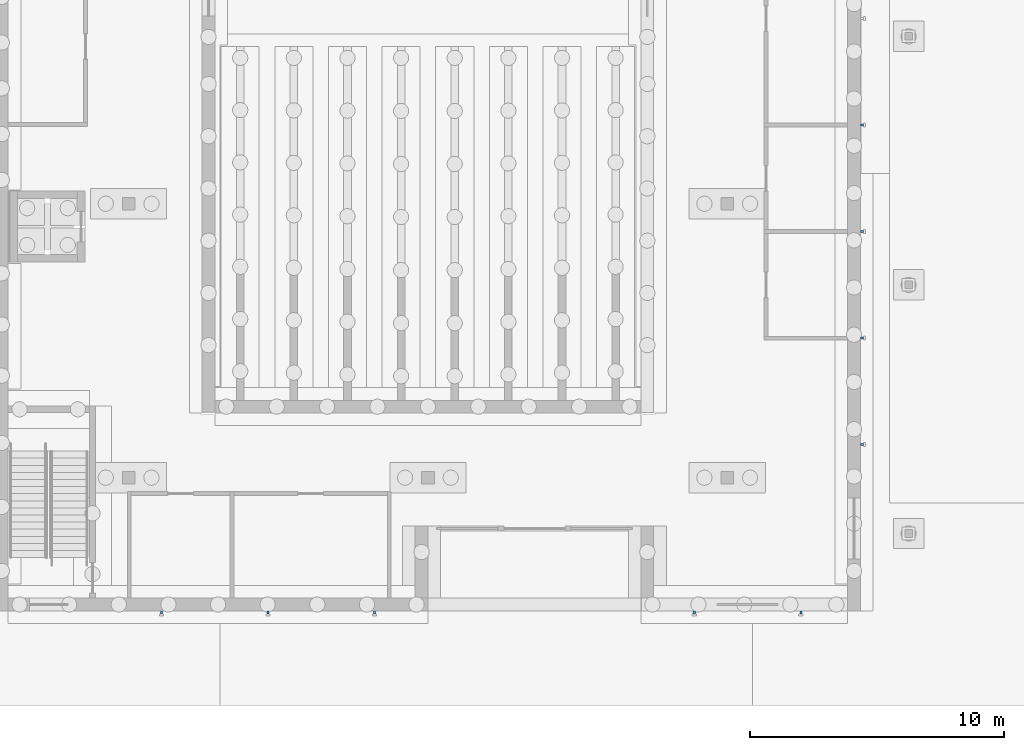
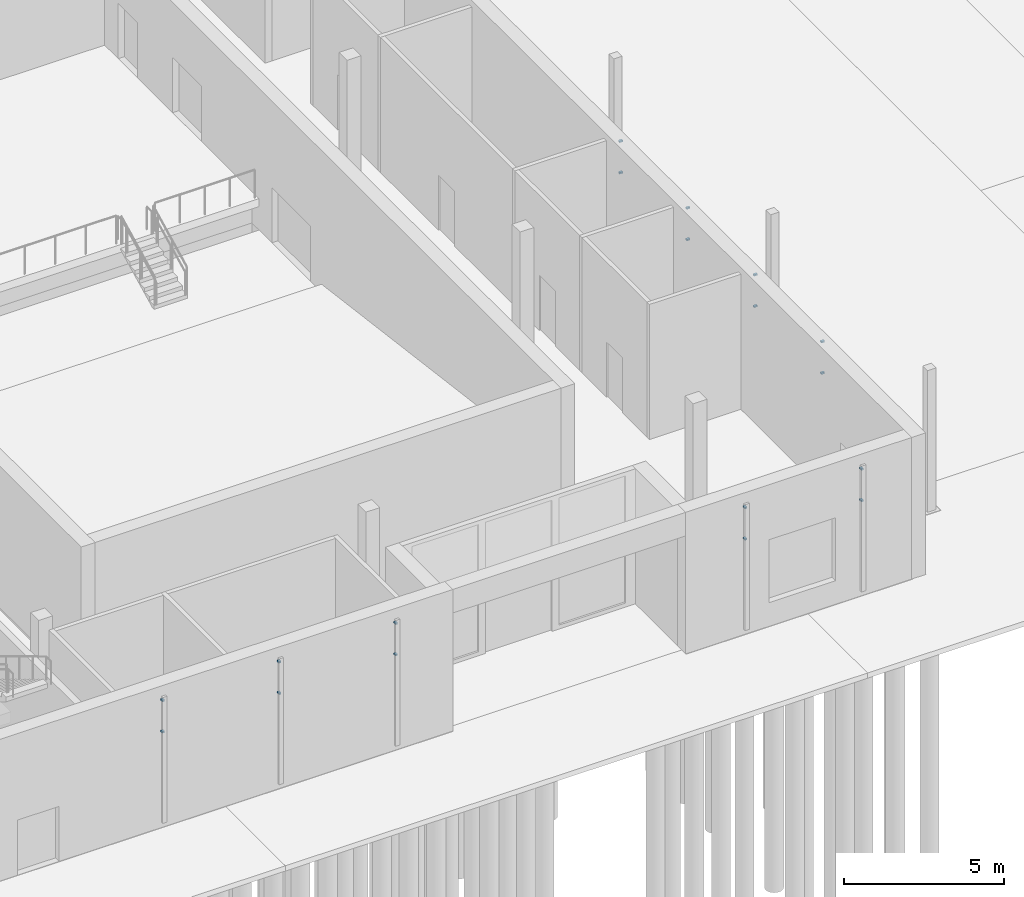
# One storey, part 81 of 127: 18 discrete accessories.
"""IFC4 building model written with IfcOpenShell, lengths in metres."""

from ifc_helpers import new_model, si_unit, direction, frame, origin, origin_2d, place, context, subcontext, project, spatial, rectangle, extrude, material, type_object, element, save


model = new_model("IFC4")

# Units and contexts
model_context = context("Model", 3, precision=1e-05, world=origin(), true_north=direction((0.0, 1.0)))
body_context = subcontext(model_context, "Body", "Model", "MODEL_VIEW")
ifc_project = project(units=[si_unit("LENGTHUNIT", "METRE"), si_unit("AREAUNIT", "SQUARE_METRE"), si_unit("VOLUMEUNIT", "CUBIC_METRE"), si_unit("PLANEANGLEUNIT", "RADIAN"), si_unit("MASSUNIT", "GRAM", prefix="KILO")], contexts=[model_context])

# Site, building, storey
site_placement = place(None, origin())
site = spatial("IfcSite", under=ifc_project, at=site_placement, CompositionType="ELEMENT")
building_placement = place(site_placement, origin())
building = spatial("IfcBuilding", under=site, at=building_placement, Name="Ljudholm Concert House", CompositionType="ELEMENT")
storey_placement = place(building_placement, origin())
storey = spatial("IfcBuildingStorey", under=building, at=storey_placement, Name="L00", CompositionType="ELEMENT", Elevation=0.0)

# Discrete accessories
ifc_material = material(Name="Stainless steel bracket", Category="steel")
discrete_accessory_type = type_object("IfcDiscreteAccessoryType", Name="BRACKET 120", PredefinedType="BRACKET", material=ifc_material)
for number, where, z_axis, x_axis, name in (
    (1, (18.699951171875, 3.68994140625, 3.669921875), (0.0, 0.0, 1.0), (0.0, -1.0, 0.0), "Fin bracket"),
    (2, (18.699951171875, 3.68994140625, 4.869873046875), (0.0, 0.0, 1.0), (0.0, -1.0, 0.0), "Fin bracket"),
    (3, (22.89990234375, 3.68994140625, 3.669921875), (0.0, 0.0, 1.0), (0.0, -1.0, 0.0), "Fin bracket"),
    (4, (22.89990234375, 3.68994140625, 4.869873046875), (0.0, 0.0, 1.0), (0.0, -1.0, 0.0), "Fin bracket"),
    (5, (27.10009765625, 3.68994140625, 3.669921875), (0.0, 0.0, 1.0), (0.0, -1.0, 0.0), "Fin bracket"),
    (6, (27.10009765625, 3.68994140625, 4.869873046875), (0.0, 0.0, 1.0), (0.0, -1.0, 0.0), "Fin bracket"),
    (7, (39.699951171875, 3.68994140625, 3.669921875), (0.0, 0.0, 1.0), (0.0, -1.0, 0.0), "Fin bracket"),
    (8, (39.699951171875, 3.68994140625, 4.869873046875), (0.0, 0.0, 1.0), (0.0, -1.0, 0.0), "Fin bracket"),
    (9, (43.89990234375, 3.68994140625, 3.669921875), (0.0, 0.0, 1.0), (0.0, -1.0, 0.0), "Fin bracket"),
    (10, (43.89990234375, 3.68994140625, 4.869873046875), (0.0, 0.0, 1.0), (0.0, -1.0, 0.0), "Fin bracket"),
    (11, (46.31005859375, 10.300048828125, 3.669921875), (0.0, 0.0, 1.0), (1.0, 0.0, 0.0), "Fin bracket"),
    (12, (46.31005859375, 10.300048828125, 4.869873046875), (0.0, 0.0, 1.0), (1.0, 0.0, 0.0), "Fin bracket"),
    (13, (46.31005859375, 14.5, 3.669921875), (0.0, 0.0, 1.0), (1.0, 0.0, 0.0), "Fin bracket"),
    (14, (46.31005859375, 14.5, 4.869873046875), (0.0, 0.0, 1.0), (1.0, 0.0, 0.0), "Fin bracket"),
    (15, (46.31005859375, 18.699951171875, 3.669921875), (0.0, 0.0, 1.0), (1.0, 0.0, 0.0), "Fin bracket"),
    (16, (46.31005859375, 18.699951171875, 4.869873046875), (0.0, 0.0, 1.0), (1.0, 0.0, 0.0), "Fin bracket"),
    (17, (46.31005859375, 22.89990234375, 3.669921875), (0.0, 0.0, 1.0), (1.0, 0.0, 0.0), "Fin bracket"),
    (18, (46.31005859375, 22.89990234375, 4.869873046875), (0.0, 0.0, 1.0), (1.0, 0.0, 0.0), "Fin bracket"),
):
    element("IfcDiscreteAccessory", number, at=place(storey_placement, frame(where, z_axis=z_axis, x_axis=x_axis)), inside=storey, type_object=discrete_accessory_type, Name=name, PredefinedType="BRACKET", context=body_context, shape_type="SweptSolid", body=[
        extrude(rectangle(XDim=0.1201171875, YDim=0.080078125, at=origin_2d()), origin(), (0.0, 0.0, 1.0), 0.06005859375),
    ])

save(model, "model.ifc")
